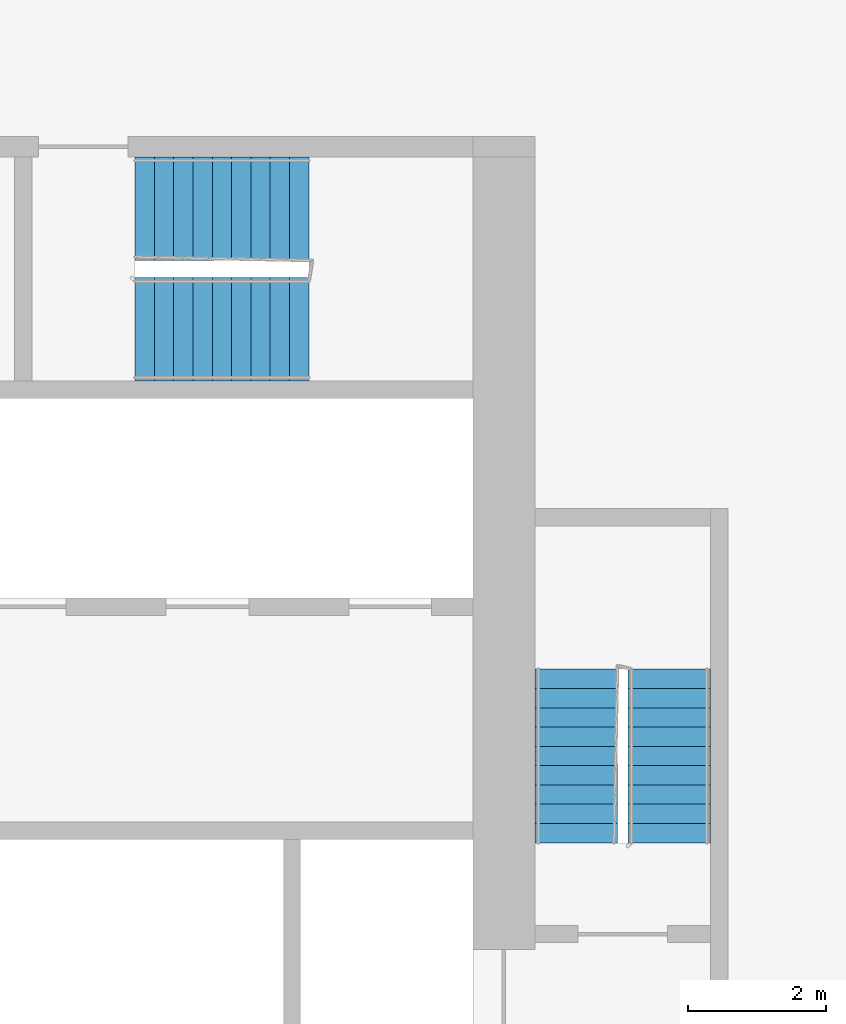
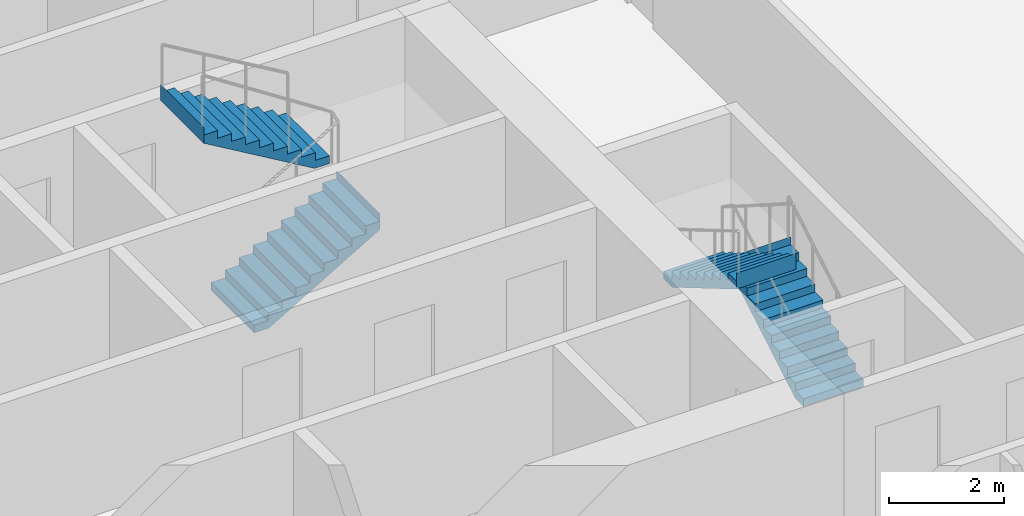
# One storey, part 11 of 13: 4 stair flights, 2 elements without a shape of their own.
"""IFC4 building model written with IfcOpenShell, lengths in metres."""

from ifc_helpers import new_model, si_unit, direction, frame, origin, place, context, subcontext, project, spatial, faceted_brep, material, type_object, element, aggregate, save


model = new_model("IFC4")

# Units and contexts
model_context = context("Model", 3, precision=1e-05, world=origin(), true_north=direction((0.0, 1.0)))
body_context = subcontext(model_context, "Body", "Model", "MODEL_VIEW")
ifc_project = project(units=[si_unit("LENGTHUNIT", "METRE"), si_unit("AREAUNIT", "SQUARE_METRE"), si_unit("VOLUMEUNIT", "CUBIC_METRE"), si_unit("PLANEANGLEUNIT", "RADIAN"), si_unit("MASSUNIT", "GRAM", prefix="KILO")], contexts=[model_context])

# Site, building, storey
site_placement = place(None, origin())
site = spatial("IfcSite", under=ifc_project, at=site_placement, CompositionType="ELEMENT")
building_placement = place(site_placement, origin())
building = spatial("IfcBuilding", under=site, at=building_placement, Name="Kajstack Hotel Tower", CompositionType="ELEMENT")
storey_placement = place(building_placement, frame((0.0, 0.0, 60.0)))
storey = spatial("IfcBuildingStorey", under=building, at=storey_placement, Name="L09", CompositionType="ELEMENT", Elevation=60.0)

# Stair, stair flights
ifc_material = material(Name="Concrete C40/50", Category="concrete")
stair_type_1 = type_object("IfcStairType", Name="Exit stair 1200", PredefinedType="HALF_TURN_STAIR", material=ifc_material)
stair_1_placement = place(storey_placement, origin())
stair_1 = element("IfcStair", 1, at=stair_1_placement, inside=storey, type_object=stair_type_1, Name="L09 stair E1", PredefinedType="HALF_TURN_STAIR")
stair_flight_type_1 = type_object("IfcStairFlightType", Name="Exit stair flight 1200", PredefinedType="STRAIGHT", material=ifc_material)
stair_flight_1_placement = place(storey_placement, frame((33.449951171875, 5.25, 0.0), z_axis=(0.0, 0.0, 1.0), x_axis=(0.0, 1.0, 0.0)))
stair_flight_1 = element("IfcStairFlight", 2, at=stair_flight_1_placement, type_object=stair_flight_type_1, Name="E1 flight 1", NumberOfRisers=10, NumberOfTreads=9, PredefinedType="STRAIGHT", RiserHeight=0.165, TreadLength=0.28, context=body_context, shape_type="Brep", body=[
    faceted_brep([(0.295654296875, -0.60009765625, 0.0), (2.5205078125, -0.60009765625, 1.31103515625), (2.5205078125, -0.60009765625, 1.64990234375), (2.52001953125, -0.60009765625, 1.64990234375), (2.52001953125, -0.60009765625, 1.485107421875), (2.239990234375, -0.60009765625, 1.485107421875), (2.239990234375, -0.60009765625, 1.320068359375), (1.9599609375, -0.60009765625, 1.320068359375), (1.9599609375, -0.60009765625, 1.155029296875), (1.679931640625, -0.60009765625, 1.155029296875), (1.679931640625, -0.60009765625, 0.989990234375), (1.39990234375, -0.60009765625, 0.989990234375), (1.39990234375, -0.60009765625, 0.824951171875), (1.1201171875, -0.60009765625, 0.824951171875), (1.1201171875, -0.60009765625, 0.659912109375), (0.840087890625, -0.60009765625, 0.659912109375), (0.840087890625, -0.60009765625, 0.4951171875), (0.56005859375, -0.60009765625, 0.4951171875), (0.56005859375, -0.60009765625, 0.330078125), (0.280029296875, -0.60009765625, 0.330078125), (0.280029296875, -0.60009765625, 0.1650390625), (-0.00048828125, -0.60009765625, 0.1650390625), (-0.00048828125, -0.60009765625, 0.0), (-0.00048828125, 0.60009765625, 0.0), (-0.00048828125, 0.60009765625, 0.1650390625), (0.280029296875, 0.60009765625, 0.1650390625), (0.280029296875, 0.60009765625, 0.330078125), (0.56005859375, 0.60009765625, 0.330078125), (0.56005859375, 0.60009765625, 0.4951171875), (0.840087890625, 0.60009765625, 0.4951171875), (0.840087890625, 0.60009765625, 0.659912109375), (1.1201171875, 0.60009765625, 0.659912109375), (1.1201171875, 0.60009765625, 0.824951171875), (1.39990234375, 0.60009765625, 0.824951171875), (1.39990234375, 0.60009765625, 0.989990234375), (1.679931640625, 0.60009765625, 0.989990234375), (1.679931640625, 0.60009765625, 1.155029296875), (1.9599609375, 0.60009765625, 1.155029296875), (1.9599609375, 0.60009765625, 1.320068359375), (2.239990234375, 0.60009765625, 1.320068359375), (2.239990234375, 0.60009765625, 1.485107421875), (2.52001953125, 0.60009765625, 1.485107421875), (2.52001953125, 0.60009765625, 1.64990234375), (2.5205078125, 0.60009765625, 1.64990234375), (2.5205078125, 0.60009765625, 1.31103515625), (0.295654296875, 0.60009765625, 0.0), (-0.00048828125, -0.300048828125, 0.1650390625), (-0.00048828125, 0.0, 0.1650390625), (-0.00048828125, 0.300048828125, 0.1650390625), (-0.00048828125, 0.300048828125, 0.0), (-0.00048828125, 0.0, 0.0), (-0.00048828125, -0.300048828125, 0.0), (0.280029296875, -0.300048828125, 0.1650390625), (0.280029296875, 0.0, 0.1650390625), (0.280029296875, 0.300048828125, 0.1650390625), (0.280029296875, -0.300048828125, 0.330078125), (0.280029296875, 0.0, 0.330078125), (0.280029296875, 0.300048828125, 0.330078125), (0.56005859375, -0.300048828125, 0.330078125), (0.56005859375, 0.0, 0.330078125), (0.56005859375, 0.300048828125, 0.330078125), (0.56005859375, -0.300048828125, 0.4951171875), (0.56005859375, 0.0, 0.4951171875), (0.56005859375, 0.300048828125, 0.4951171875), (0.840087890625, -0.300048828125, 0.4951171875), (0.840087890625, 0.0, 0.4951171875), (0.840087890625, 0.300048828125, 0.4951171875), (0.840087890625, -0.300048828125, 0.659912109375), (0.840087890625, 0.0, 0.659912109375), (0.840087890625, 0.300048828125, 0.659912109375), (1.1201171875, -0.300048828125, 0.659912109375), (1.1201171875, 0.0, 0.659912109375), (1.1201171875, 0.300048828125, 0.659912109375), (1.1201171875, -0.300048828125, 0.824951171875), (1.1201171875, 0.0, 0.824951171875), (1.1201171875, 0.300048828125, 0.824951171875), (1.39990234375, -0.300048828125, 0.824951171875), (1.39990234375, 0.0, 0.824951171875), (1.39990234375, 0.300048828125, 0.824951171875), (1.39990234375, -0.300048828125, 0.989990234375), (1.39990234375, 0.0, 0.989990234375), (1.39990234375, 0.300048828125, 0.989990234375), (1.679931640625, -0.300048828125, 0.989990234375), (1.679931640625, 0.0, 0.989990234375), (1.679931640625, 0.300048828125, 0.989990234375), (1.679931640625, -0.300048828125, 1.155029296875), (1.679931640625, 0.0, 1.155029296875), (1.679931640625, 0.300048828125, 1.155029296875), (1.9599609375, -0.300048828125, 1.155029296875), (1.9599609375, 0.0, 1.155029296875), (1.9599609375, 0.300048828125, 1.155029296875), (1.9599609375, -0.300048828125, 1.320068359375), (1.9599609375, 0.0, 1.320068359375), (1.9599609375, 0.300048828125, 1.320068359375), (2.239990234375, -0.300048828125, 1.320068359375), (2.239990234375, 0.0, 1.320068359375), (2.239990234375, 0.300048828125, 1.320068359375), (2.239990234375, -0.300048828125, 1.485107421875), (2.239990234375, 0.0, 1.485107421875), (2.239990234375, 0.300048828125, 1.485107421875), (2.52001953125, -0.300048828125, 1.485107421875), (2.52001953125, 0.0, 1.485107421875), (2.52001953125, 0.300048828125, 1.485107421875), (2.52001953125, -0.300048828125, 1.64990234375), (2.52001953125, 0.0, 1.64990234375), (2.52001953125, 0.300048828125, 1.64990234375), (2.5205078125, -0.300048828125, 1.64990234375), (2.5205078125, 0.0, 1.64990234375), (2.5205078125, 0.300048828125, 1.64990234375), (2.5205078125, -0.300048828125, 1.31103515625), (2.5205078125, 0.0, 1.31103515625), (2.5205078125, 0.300048828125, 1.31103515625), (0.295654296875, -0.300048828125, 0.0), (0.295654296875, 0.0, 0.0), (0.295654296875, 0.300048828125, 0.0)], [[[0, 1, 2, 3, 4, 5, 6, 7, 8, 9, 10, 11, 12, 13, 14, 15, 16, 17, 18, 19, 20, 21, 22]], [[23, 24, 25, 26, 27, 28, 29, 30, 31, 32, 33, 34, 35, 36, 37, 38, 39, 40, 41, 42, 43, 44, 45]], [[21, 46, 47, 48, 24, 23, 49, 50, 51, 22]], [[20, 52, 53, 54, 25, 24, 48, 47, 46, 21]], [[19, 55, 56, 57, 26, 25, 54, 53, 52, 20]], [[18, 58, 59, 60, 27, 26, 57, 56, 55, 19]], [[17, 61, 62, 63, 28, 27, 60, 59, 58, 18]], [[16, 64, 65, 66, 29, 28, 63, 62, 61, 17]], [[15, 67, 68, 69, 30, 29, 66, 65, 64, 16]], [[14, 70, 71, 72, 31, 30, 69, 68, 67, 15]], [[13, 73, 74, 75, 32, 31, 72, 71, 70, 14]], [[12, 76, 77, 78, 33, 32, 75, 74, 73, 13]], [[11, 79, 80, 81, 34, 33, 78, 77, 76, 12]], [[10, 82, 83, 84, 35, 34, 81, 80, 79, 11]], [[9, 85, 86, 87, 36, 35, 84, 83, 82, 10]], [[8, 88, 89, 90, 37, 36, 87, 86, 85, 9]], [[7, 91, 92, 93, 38, 37, 90, 89, 88, 8]], [[6, 94, 95, 96, 39, 38, 93, 92, 91, 7]], [[5, 97, 98, 99, 40, 39, 96, 95, 94, 6]], [[4, 100, 101, 102, 41, 40, 99, 98, 97, 5]], [[3, 103, 104, 105, 42, 41, 102, 101, 100, 4]], [[2, 106, 107, 108, 43, 42, 105, 104, 103, 3]], [[1, 109, 110, 111, 44, 43, 108, 107, 106, 2]], [[0, 112, 113, 114, 45, 44, 111, 110, 109, 1]], [[22, 51, 50, 49, 23, 45, 114, 113, 112, 0]]]),
])
stair_flight_2_placement = place(storey_placement, frame((32.10009765625, 7.77001953125, 1.64990234375), z_axis=(0.0, 0.0, 1.0), x_axis=(0.0, -1.0, 0.0)))
stair_flight_2 = element("IfcStairFlight", 3, at=stair_flight_2_placement, type_object=stair_flight_type_1, Name="E1 flight 2", NumberOfRisers=10, NumberOfTreads=9, PredefinedType="STRAIGHT", RiserHeight=0.165, TreadLength=0.28, context=body_context, shape_type="Brep", body=[
    faceted_brep([(0.295654296875, -0.60009765625, 0.0), (2.5205078125, -0.60009765625, 1.31103515625), (2.5205078125, -0.60009765625, 1.64990234375), (2.52001953125, -0.60009765625, 1.64990234375), (2.52001953125, -0.60009765625, 1.485107421875), (2.239990234375, -0.60009765625, 1.485107421875), (2.239990234375, -0.60009765625, 1.320068359375), (1.9599609375, -0.60009765625, 1.320068359375), (1.9599609375, -0.60009765625, 1.155029296875), (1.679931640625, -0.60009765625, 1.155029296875), (1.679931640625, -0.60009765625, 0.989990234375), (1.39990234375, -0.60009765625, 0.989990234375), (1.39990234375, -0.60009765625, 0.824951171875), (1.1201171875, -0.60009765625, 0.824951171875), (1.1201171875, -0.60009765625, 0.659912109375), (0.840087890625, -0.60009765625, 0.659912109375), (0.840087890625, -0.60009765625, 0.4951171875), (0.56005859375, -0.60009765625, 0.4951171875), (0.56005859375, -0.60009765625, 0.330078125), (0.280029296875, -0.60009765625, 0.330078125), (0.280029296875, -0.60009765625, 0.1650390625), (-0.00048828125, -0.60009765625, 0.1650390625), (-0.00048828125, -0.60009765625, 0.0), (-0.00048828125, 0.60009765625, 0.0), (-0.00048828125, 0.60009765625, 0.1650390625), (0.280029296875, 0.60009765625, 0.1650390625), (0.280029296875, 0.60009765625, 0.330078125), (0.56005859375, 0.60009765625, 0.330078125), (0.56005859375, 0.60009765625, 0.4951171875), (0.840087890625, 0.60009765625, 0.4951171875), (0.840087890625, 0.60009765625, 0.659912109375), (1.1201171875, 0.60009765625, 0.659912109375), (1.1201171875, 0.60009765625, 0.824951171875), (1.39990234375, 0.60009765625, 0.824951171875), (1.39990234375, 0.60009765625, 0.989990234375), (1.679931640625, 0.60009765625, 0.989990234375), (1.679931640625, 0.60009765625, 1.155029296875), (1.9599609375, 0.60009765625, 1.155029296875), (1.9599609375, 0.60009765625, 1.320068359375), (2.239990234375, 0.60009765625, 1.320068359375), (2.239990234375, 0.60009765625, 1.485107421875), (2.52001953125, 0.60009765625, 1.485107421875), (2.52001953125, 0.60009765625, 1.64990234375), (2.5205078125, 0.60009765625, 1.64990234375), (2.5205078125, 0.60009765625, 1.31103515625), (0.295654296875, 0.60009765625, 0.0), (-0.00048828125, -0.300048828125, 0.1650390625), (-0.00048828125, 0.0, 0.1650390625), (-0.00048828125, 0.300048828125, 0.1650390625), (-0.00048828125, 0.300048828125, 0.0), (-0.00048828125, 0.0, 0.0), (-0.00048828125, -0.300048828125, 0.0), (0.280029296875, -0.300048828125, 0.1650390625), (0.280029296875, 0.0, 0.1650390625), (0.280029296875, 0.300048828125, 0.1650390625), (0.280029296875, -0.300048828125, 0.330078125), (0.280029296875, 0.0, 0.330078125), (0.280029296875, 0.300048828125, 0.330078125), (0.56005859375, -0.300048828125, 0.330078125), (0.56005859375, 0.0, 0.330078125), (0.56005859375, 0.300048828125, 0.330078125), (0.56005859375, -0.300048828125, 0.4951171875), (0.56005859375, 0.0, 0.4951171875), (0.56005859375, 0.300048828125, 0.4951171875), (0.840087890625, -0.300048828125, 0.4951171875), (0.840087890625, 0.0, 0.4951171875), (0.840087890625, 0.300048828125, 0.4951171875), (0.840087890625, -0.300048828125, 0.659912109375), (0.840087890625, 0.0, 0.659912109375), (0.840087890625, 0.300048828125, 0.659912109375), (1.1201171875, -0.300048828125, 0.659912109375), (1.1201171875, 0.0, 0.659912109375), (1.1201171875, 0.300048828125, 0.659912109375), (1.1201171875, -0.300048828125, 0.824951171875), (1.1201171875, 0.0, 0.824951171875), (1.1201171875, 0.300048828125, 0.824951171875), (1.39990234375, -0.300048828125, 0.824951171875), (1.39990234375, 0.0, 0.824951171875), (1.39990234375, 0.300048828125, 0.824951171875), (1.39990234375, -0.300048828125, 0.989990234375), (1.39990234375, 0.0, 0.989990234375), (1.39990234375, 0.300048828125, 0.989990234375), (1.679931640625, -0.300048828125, 0.989990234375), (1.679931640625, 0.0, 0.989990234375), (1.679931640625, 0.300048828125, 0.989990234375), (1.679931640625, -0.300048828125, 1.155029296875), (1.679931640625, 0.0, 1.155029296875), (1.679931640625, 0.300048828125, 1.155029296875), (1.9599609375, -0.300048828125, 1.155029296875), (1.9599609375, 0.0, 1.155029296875), (1.9599609375, 0.300048828125, 1.155029296875), (1.9599609375, -0.300048828125, 1.320068359375), (1.9599609375, 0.0, 1.320068359375), (1.9599609375, 0.300048828125, 1.320068359375), (2.239990234375, -0.300048828125, 1.320068359375), (2.239990234375, 0.0, 1.320068359375), (2.239990234375, 0.300048828125, 1.320068359375), (2.239990234375, -0.300048828125, 1.485107421875), (2.239990234375, 0.0, 1.485107421875), (2.239990234375, 0.300048828125, 1.485107421875), (2.52001953125, -0.300048828125, 1.485107421875), (2.52001953125, 0.0, 1.485107421875), (2.52001953125, 0.300048828125, 1.485107421875), (2.52001953125, -0.300048828125, 1.64990234375), (2.52001953125, 0.0, 1.64990234375), (2.52001953125, 0.300048828125, 1.64990234375), (2.5205078125, -0.300048828125, 1.64990234375), (2.5205078125, 0.0, 1.64990234375), (2.5205078125, 0.300048828125, 1.64990234375), (2.5205078125, -0.300048828125, 1.31103515625), (2.5205078125, 0.0, 1.31103515625), (2.5205078125, 0.300048828125, 1.31103515625), (0.295654296875, -0.300048828125, 0.0), (0.295654296875, 0.0, 0.0), (0.295654296875, 0.300048828125, 0.0)], [[[0, 1, 2, 3, 4, 5, 6, 7, 8, 9, 10, 11, 12, 13, 14, 15, 16, 17, 18, 19, 20, 21, 22]], [[23, 24, 25, 26, 27, 28, 29, 30, 31, 32, 33, 34, 35, 36, 37, 38, 39, 40, 41, 42, 43, 44, 45]], [[21, 46, 47, 48, 24, 23, 49, 50, 51, 22]], [[20, 52, 53, 54, 25, 24, 48, 47, 46, 21]], [[19, 55, 56, 57, 26, 25, 54, 53, 52, 20]], [[18, 58, 59, 60, 27, 26, 57, 56, 55, 19]], [[17, 61, 62, 63, 28, 27, 60, 59, 58, 18]], [[16, 64, 65, 66, 29, 28, 63, 62, 61, 17]], [[15, 67, 68, 69, 30, 29, 66, 65, 64, 16]], [[14, 70, 71, 72, 31, 30, 69, 68, 67, 15]], [[13, 73, 74, 75, 32, 31, 72, 71, 70, 14]], [[12, 76, 77, 78, 33, 32, 75, 74, 73, 13]], [[11, 79, 80, 81, 34, 33, 78, 77, 76, 12]], [[10, 82, 83, 84, 35, 34, 81, 80, 79, 11]], [[9, 85, 86, 87, 36, 35, 84, 83, 82, 10]], [[8, 88, 89, 90, 37, 36, 87, 86, 85, 9]], [[7, 91, 92, 93, 38, 37, 90, 89, 88, 8]], [[6, 94, 95, 96, 39, 38, 93, 92, 91, 7]], [[5, 97, 98, 99, 40, 39, 96, 95, 94, 6]], [[4, 100, 101, 102, 41, 40, 99, 98, 97, 5]], [[3, 103, 104, 105, 42, 41, 102, 101, 100, 4]], [[2, 106, 107, 108, 43, 42, 105, 104, 103, 3]], [[1, 109, 110, 111, 44, 43, 108, 107, 106, 2]], [[0, 112, 113, 114, 45, 44, 111, 110, 109, 1]], [[22, 51, 50, 49, 23, 45, 114, 113, 112, 0]]]),
])
aggregate(stair_1, [stair_flight_1, stair_flight_2])

stair_type_2 = type_object("IfcStairType", Name="Exit stair 1500", PredefinedType="HALF_TURN_STAIR", material=ifc_material)
stair_2_placement = place(storey_placement, origin())
stair_2 = element("IfcStair", 4, at=stair_2_placement, inside=storey, type_object=stair_type_2, Name="L09 stair E3", PredefinedType="HALF_TURN_STAIR")
stair_flight_type_2 = type_object("IfcStairFlightType", Name="Exit stair flight 1500", PredefinedType="STRAIGHT", material=ifc_material)
stair_flight_3_placement = place(storey_placement, frame((25.699951171875, 12.699951171875, 0.0), z_axis=(0.0, 0.0, 1.0), x_axis=(1.0, 0.0, 0.0)))
stair_flight_3 = element("IfcStairFlight", 5, at=stair_flight_3_placement, type_object=stair_flight_type_2, Name="E3 flight 1", NumberOfRisers=10, NumberOfTreads=9, PredefinedType="STRAIGHT", RiserHeight=0.165, TreadLength=0.28, context=body_context, shape_type="Brep", body=[
    faceted_brep([(0.295654296875, -0.75, 0.0), (2.5205078125, -0.75, 1.31103515625), (2.5205078125, -0.75, 1.64990234375), (2.52001953125, -0.75, 1.64990234375), (2.52001953125, -0.75, 1.485107421875), (2.239990234375, -0.75, 1.485107421875), (2.239990234375, -0.75, 1.320068359375), (1.9599609375, -0.75, 1.320068359375), (1.9599609375, -0.75, 1.155029296875), (1.679931640625, -0.75, 1.155029296875), (1.679931640625, -0.75, 0.989990234375), (1.39990234375, -0.75, 0.989990234375), (1.39990234375, -0.75, 0.824951171875), (1.1201171875, -0.75, 0.824951171875), (1.1201171875, -0.75, 0.659912109375), (0.840087890625, -0.75, 0.659912109375), (0.840087890625, -0.75, 0.4951171875), (0.56005859375, -0.75, 0.4951171875), (0.56005859375, -0.75, 0.330078125), (0.280029296875, -0.75, 0.330078125), (0.280029296875, -0.75, 0.1650390625), (-0.00048828125, -0.75, 0.1650390625), (-0.00048828125, -0.75, 0.0), (-0.00048828125, 0.75, 0.0), (-0.00048828125, 0.75, 0.1650390625), (0.280029296875, 0.75, 0.1650390625), (0.280029296875, 0.75, 0.330078125), (0.56005859375, 0.75, 0.330078125), (0.56005859375, 0.75, 0.4951171875), (0.840087890625, 0.75, 0.4951171875), (0.840087890625, 0.75, 0.659912109375), (1.1201171875, 0.75, 0.659912109375), (1.1201171875, 0.75, 0.824951171875), (1.39990234375, 0.75, 0.824951171875), (1.39990234375, 0.75, 0.989990234375), (1.679931640625, 0.75, 0.989990234375), (1.679931640625, 0.75, 1.155029296875), (1.9599609375, 0.75, 1.155029296875), (1.9599609375, 0.75, 1.320068359375), (2.239990234375, 0.75, 1.320068359375), (2.239990234375, 0.75, 1.485107421875), (2.52001953125, 0.75, 1.485107421875), (2.52001953125, 0.75, 1.64990234375), (2.5205078125, 0.75, 1.64990234375), (2.5205078125, 0.75, 1.31103515625), (0.295654296875, 0.75, 0.0), (-0.00048828125, -0.375, 0.1650390625), (-0.00048828125, 0.0, 0.1650390625), (-0.00048828125, 0.375, 0.1650390625), (-0.00048828125, 0.375, 0.0), (-0.00048828125, 0.0, 0.0), (-0.00048828125, -0.375, 0.0), (0.280029296875, -0.375, 0.1650390625), (0.280029296875, 0.0, 0.1650390625), (0.280029296875, 0.375, 0.1650390625), (0.280029296875, -0.375, 0.330078125), (0.280029296875, 0.0, 0.330078125), (0.280029296875, 0.375, 0.330078125), (0.56005859375, -0.375, 0.330078125), (0.56005859375, 0.0, 0.330078125), (0.56005859375, 0.375, 0.330078125), (0.56005859375, -0.375, 0.4951171875), (0.56005859375, 0.0, 0.4951171875), (0.56005859375, 0.375, 0.4951171875), (0.840087890625, -0.375, 0.4951171875), (0.840087890625, 0.0, 0.4951171875), (0.840087890625, 0.375, 0.4951171875), (0.840087890625, -0.375, 0.659912109375), (0.840087890625, 0.0, 0.659912109375), (0.840087890625, 0.375, 0.659912109375), (1.1201171875, -0.375, 0.659912109375), (1.1201171875, 0.0, 0.659912109375), (1.1201171875, 0.375, 0.659912109375), (1.1201171875, -0.375, 0.824951171875), (1.1201171875, 0.0, 0.824951171875), (1.1201171875, 0.375, 0.824951171875), (1.39990234375, -0.375, 0.824951171875), (1.39990234375, 0.0, 0.824951171875), (1.39990234375, 0.375, 0.824951171875), (1.39990234375, -0.375, 0.989990234375), (1.39990234375, 0.0, 0.989990234375), (1.39990234375, 0.375, 0.989990234375), (1.679931640625, -0.375, 0.989990234375), (1.679931640625, 0.0, 0.989990234375), (1.679931640625, 0.375, 0.989990234375), (1.679931640625, -0.375, 1.155029296875), (1.679931640625, 0.0, 1.155029296875), (1.679931640625, 0.375, 1.155029296875), (1.9599609375, -0.375, 1.155029296875), (1.9599609375, 0.0, 1.155029296875), (1.9599609375, 0.375, 1.155029296875), (1.9599609375, -0.375, 1.320068359375), (1.9599609375, 0.0, 1.320068359375), (1.9599609375, 0.375, 1.320068359375), (2.239990234375, -0.375, 1.320068359375), (2.239990234375, 0.0, 1.320068359375), (2.239990234375, 0.375, 1.320068359375), (2.239990234375, -0.375, 1.485107421875), (2.239990234375, 0.0, 1.485107421875), (2.239990234375, 0.375, 1.485107421875), (2.52001953125, -0.375, 1.485107421875), (2.52001953125, 0.0, 1.485107421875), (2.52001953125, 0.375, 1.485107421875), (2.52001953125, -0.375, 1.64990234375), (2.52001953125, 0.0, 1.64990234375), (2.52001953125, 0.375, 1.64990234375), (2.5205078125, -0.375, 1.64990234375), (2.5205078125, 0.0, 1.64990234375), (2.5205078125, 0.375, 1.64990234375), (2.5205078125, -0.375, 1.31103515625), (2.5205078125, 0.0, 1.31103515625), (2.5205078125, 0.375, 1.31103515625), (0.295654296875, -0.375, 0.0), (0.295654296875, 0.0, 0.0), (0.295654296875, 0.375, 0.0)], [[[0, 1, 2, 3, 4, 5, 6, 7, 8, 9, 10, 11, 12, 13, 14, 15, 16, 17, 18, 19, 20, 21, 22]], [[23, 24, 25, 26, 27, 28, 29, 30, 31, 32, 33, 34, 35, 36, 37, 38, 39, 40, 41, 42, 43, 44, 45]], [[21, 46, 47, 48, 24, 23, 49, 50, 51, 22]], [[20, 52, 53, 54, 25, 24, 48, 47, 46, 21]], [[19, 55, 56, 57, 26, 25, 54, 53, 52, 20]], [[18, 58, 59, 60, 27, 26, 57, 56, 55, 19]], [[17, 61, 62, 63, 28, 27, 60, 59, 58, 18]], [[16, 64, 65, 66, 29, 28, 63, 62, 61, 17]], [[15, 67, 68, 69, 30, 29, 66, 65, 64, 16]], [[14, 70, 71, 72, 31, 30, 69, 68, 67, 15]], [[13, 73, 74, 75, 32, 31, 72, 71, 70, 14]], [[12, 76, 77, 78, 33, 32, 75, 74, 73, 13]], [[11, 79, 80, 81, 34, 33, 78, 77, 76, 12]], [[10, 82, 83, 84, 35, 34, 81, 80, 79, 11]], [[9, 85, 86, 87, 36, 35, 84, 83, 82, 10]], [[8, 88, 89, 90, 37, 36, 87, 86, 85, 9]], [[7, 91, 92, 93, 38, 37, 90, 89, 88, 8]], [[6, 94, 95, 96, 39, 38, 93, 92, 91, 7]], [[5, 97, 98, 99, 40, 39, 96, 95, 94, 6]], [[4, 100, 101, 102, 41, 40, 99, 98, 97, 5]], [[3, 103, 104, 105, 42, 41, 102, 101, 100, 4]], [[2, 106, 107, 108, 43, 42, 105, 104, 103, 3]], [[1, 109, 110, 111, 44, 43, 108, 107, 106, 2]], [[0, 112, 113, 114, 45, 44, 111, 110, 109, 1]], [[22, 51, 50, 49, 23, 45, 114, 113, 112, 0]]]),
])
stair_flight_4_placement = place(storey_placement, frame((28.219970703125, 14.449951171875, 1.64990234375), z_axis=(0.0, 0.0, 1.0), x_axis=(-1.0, 0.0, 0.0)))
stair_flight_4 = element("IfcStairFlight", 6, at=stair_flight_4_placement, type_object=stair_flight_type_2, Name="E3 flight 2", NumberOfRisers=10, NumberOfTreads=9, PredefinedType="STRAIGHT", RiserHeight=0.165, TreadLength=0.28, context=body_context, shape_type="Brep", body=[
    faceted_brep([(0.295654296875, -0.75, 0.0), (2.5205078125, -0.75, 1.31103515625), (2.5205078125, -0.75, 1.64990234375), (2.52001953125, -0.75, 1.64990234375), (2.52001953125, -0.75, 1.485107421875), (2.239990234375, -0.75, 1.485107421875), (2.239990234375, -0.75, 1.320068359375), (1.9599609375, -0.75, 1.320068359375), (1.9599609375, -0.75, 1.155029296875), (1.679931640625, -0.75, 1.155029296875), (1.679931640625, -0.75, 0.989990234375), (1.39990234375, -0.75, 0.989990234375), (1.39990234375, -0.75, 0.824951171875), (1.1201171875, -0.75, 0.824951171875), (1.1201171875, -0.75, 0.659912109375), (0.840087890625, -0.75, 0.659912109375), (0.840087890625, -0.75, 0.4951171875), (0.56005859375, -0.75, 0.4951171875), (0.56005859375, -0.75, 0.330078125), (0.280029296875, -0.75, 0.330078125), (0.280029296875, -0.75, 0.1650390625), (-0.00048828125, -0.75, 0.1650390625), (-0.00048828125, -0.75, 0.0), (-0.00048828125, 0.75, 0.0), (-0.00048828125, 0.75, 0.1650390625), (0.280029296875, 0.75, 0.1650390625), (0.280029296875, 0.75, 0.330078125), (0.56005859375, 0.75, 0.330078125), (0.56005859375, 0.75, 0.4951171875), (0.840087890625, 0.75, 0.4951171875), (0.840087890625, 0.75, 0.659912109375), (1.1201171875, 0.75, 0.659912109375), (1.1201171875, 0.75, 0.824951171875), (1.39990234375, 0.75, 0.824951171875), (1.39990234375, 0.75, 0.989990234375), (1.679931640625, 0.75, 0.989990234375), (1.679931640625, 0.75, 1.155029296875), (1.9599609375, 0.75, 1.155029296875), (1.9599609375, 0.75, 1.320068359375), (2.239990234375, 0.75, 1.320068359375), (2.239990234375, 0.75, 1.485107421875), (2.52001953125, 0.75, 1.485107421875), (2.52001953125, 0.75, 1.64990234375), (2.5205078125, 0.75, 1.64990234375), (2.5205078125, 0.75, 1.31103515625), (0.295654296875, 0.75, 0.0), (-0.00048828125, -0.375, 0.1650390625), (-0.00048828125, 0.0, 0.1650390625), (-0.00048828125, 0.375, 0.1650390625), (-0.00048828125, 0.375, 0.0), (-0.00048828125, 0.0, 0.0), (-0.00048828125, -0.375, 0.0), (0.280029296875, -0.375, 0.1650390625), (0.280029296875, 0.0, 0.1650390625), (0.280029296875, 0.375, 0.1650390625), (0.280029296875, -0.375, 0.330078125), (0.280029296875, 0.0, 0.330078125), (0.280029296875, 0.375, 0.330078125), (0.56005859375, -0.375, 0.330078125), (0.56005859375, 0.0, 0.330078125), (0.56005859375, 0.375, 0.330078125), (0.56005859375, -0.375, 0.4951171875), (0.56005859375, 0.0, 0.4951171875), (0.56005859375, 0.375, 0.4951171875), (0.840087890625, -0.375, 0.4951171875), (0.840087890625, 0.0, 0.4951171875), (0.840087890625, 0.375, 0.4951171875), (0.840087890625, -0.375, 0.659912109375), (0.840087890625, 0.0, 0.659912109375), (0.840087890625, 0.375, 0.659912109375), (1.1201171875, -0.375, 0.659912109375), (1.1201171875, 0.0, 0.659912109375), (1.1201171875, 0.375, 0.659912109375), (1.1201171875, -0.375, 0.824951171875), (1.1201171875, 0.0, 0.824951171875), (1.1201171875, 0.375, 0.824951171875), (1.39990234375, -0.375, 0.824951171875), (1.39990234375, 0.0, 0.824951171875), (1.39990234375, 0.375, 0.824951171875), (1.39990234375, -0.375, 0.989990234375), (1.39990234375, 0.0, 0.989990234375), (1.39990234375, 0.375, 0.989990234375), (1.679931640625, -0.375, 0.989990234375), (1.679931640625, 0.0, 0.989990234375), (1.679931640625, 0.375, 0.989990234375), (1.679931640625, -0.375, 1.155029296875), (1.679931640625, 0.0, 1.155029296875), (1.679931640625, 0.375, 1.155029296875), (1.9599609375, -0.375, 1.155029296875), (1.9599609375, 0.0, 1.155029296875), (1.9599609375, 0.375, 1.155029296875), (1.9599609375, -0.375, 1.320068359375), (1.9599609375, 0.0, 1.320068359375), (1.9599609375, 0.375, 1.320068359375), (2.239990234375, -0.375, 1.320068359375), (2.239990234375, 0.0, 1.320068359375), (2.239990234375, 0.375, 1.320068359375), (2.239990234375, -0.375, 1.485107421875), (2.239990234375, 0.0, 1.485107421875), (2.239990234375, 0.375, 1.485107421875), (2.52001953125, -0.375, 1.485107421875), (2.52001953125, 0.0, 1.485107421875), (2.52001953125, 0.375, 1.485107421875), (2.52001953125, -0.375, 1.64990234375), (2.52001953125, 0.0, 1.64990234375), (2.52001953125, 0.375, 1.64990234375), (2.5205078125, -0.375, 1.64990234375), (2.5205078125, 0.0, 1.64990234375), (2.5205078125, 0.375, 1.64990234375), (2.5205078125, -0.375, 1.31103515625), (2.5205078125, 0.0, 1.31103515625), (2.5205078125, 0.375, 1.31103515625), (0.295654296875, -0.375, 0.0), (0.295654296875, 0.0, 0.0), (0.295654296875, 0.375, 0.0)], [[[0, 1, 2, 3, 4, 5, 6, 7, 8, 9, 10, 11, 12, 13, 14, 15, 16, 17, 18, 19, 20, 21, 22]], [[23, 24, 25, 26, 27, 28, 29, 30, 31, 32, 33, 34, 35, 36, 37, 38, 39, 40, 41, 42, 43, 44, 45]], [[21, 46, 47, 48, 24, 23, 49, 50, 51, 22]], [[20, 52, 53, 54, 25, 24, 48, 47, 46, 21]], [[19, 55, 56, 57, 26, 25, 54, 53, 52, 20]], [[18, 58, 59, 60, 27, 26, 57, 56, 55, 19]], [[17, 61, 62, 63, 28, 27, 60, 59, 58, 18]], [[16, 64, 65, 66, 29, 28, 63, 62, 61, 17]], [[15, 67, 68, 69, 30, 29, 66, 65, 64, 16]], [[14, 70, 71, 72, 31, 30, 69, 68, 67, 15]], [[13, 73, 74, 75, 32, 31, 72, 71, 70, 14]], [[12, 76, 77, 78, 33, 32, 75, 74, 73, 13]], [[11, 79, 80, 81, 34, 33, 78, 77, 76, 12]], [[10, 82, 83, 84, 35, 34, 81, 80, 79, 11]], [[9, 85, 86, 87, 36, 35, 84, 83, 82, 10]], [[8, 88, 89, 90, 37, 36, 87, 86, 85, 9]], [[7, 91, 92, 93, 38, 37, 90, 89, 88, 8]], [[6, 94, 95, 96, 39, 38, 93, 92, 91, 7]], [[5, 97, 98, 99, 40, 39, 96, 95, 94, 6]], [[4, 100, 101, 102, 41, 40, 99, 98, 97, 5]], [[3, 103, 104, 105, 42, 41, 102, 101, 100, 4]], [[2, 106, 107, 108, 43, 42, 105, 104, 103, 3]], [[1, 109, 110, 111, 44, 43, 108, 107, 106, 2]], [[0, 112, 113, 114, 45, 44, 111, 110, 109, 1]], [[22, 51, 50, 49, 23, 45, 114, 113, 112, 0]]]),
])
aggregate(stair_2, [stair_flight_3, stair_flight_4])

save(model, "model.ifc")
